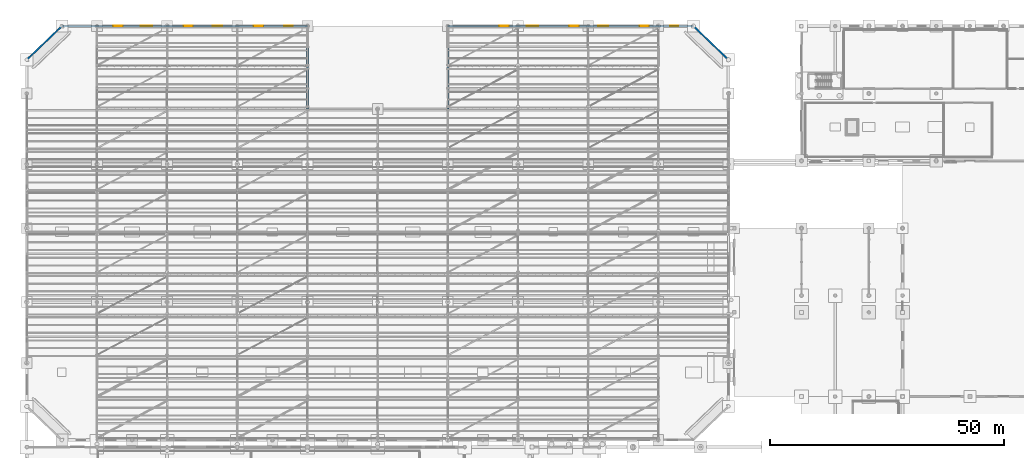
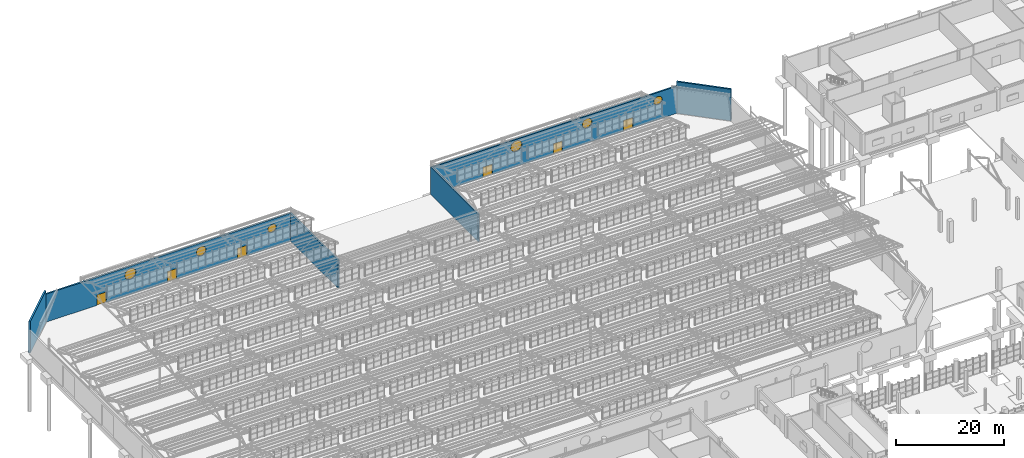
# One storey, part 261 of 285: 6 doors, 6 walls, 6 windows, 12 openings.
"""IFC4 building model written with IfcOpenShell, lengths in metres."""

from ifc_helpers import new_model, si_unit, direction, frame, frame_2d, origin, place, context, subcontext, project, spatial, polyline, rectangle, outline, extrude, material, layer, layer_set, type_object, element, fill, save


model = new_model("IFC4")

# Units and contexts
model_context = context("Model", 3, precision=1e-05, world=origin(), true_north=direction((0.0, 1.0)))
body_context = subcontext(model_context, "Body", "Model", "MODEL_VIEW")
ifc_project = project(units=[si_unit("LENGTHUNIT", "METRE"), si_unit("AREAUNIT", "SQUARE_METRE"), si_unit("VOLUMEUNIT", "CUBIC_METRE"), si_unit("PLANEANGLEUNIT", "RADIAN"), si_unit("MASSUNIT", "GRAM", prefix="KILO")], contexts=[model_context])

# Site, building, storey
site_placement = place(None, origin())
site = spatial("IfcSite", under=ifc_project, at=site_placement, CompositionType="ELEMENT")
building_placement = place(site_placement, origin())
building = spatial("IfcBuilding", under=site, at=building_placement, Name="Solanera Park Tramway Depot", CompositionType="ELEMENT")
storey_placement = place(building_placement, origin())
storey = spatial("IfcBuildingStorey", under=building, at=storey_placement, Name="L00", CompositionType="ELEMENT", Elevation=0.0)

# Walls
ifc_material_1 = material(Name="Concrete N32 (C32/40)", Category="concrete")
ifc_layer_1 = layer(ifc_material_1, 0.320068359375)
ifc_layer_set_1 = layer_set([ifc_layer_1], Name="Concrete N32 (C32/40)")
wall_type_1 = type_object("IfcWallType", Name="Ext Stucco Wall 320", PredefinedType="SOLIDWALL", material=ifc_layer_set_1)
wall_1_placement = place(storey_placement, frame((60.0, 126.300048828125, 0.0), z_axis=(0.0, 0.0, 1.0), x_axis=(0.0, 1.0, 0.0)))
element("IfcWall", 1, at=wall_1_placement, inside=storey, type_object=wall_type_1, Name="L00 V1 Perimeter Wall V1-NRW", PredefinedType="SOLIDWALL", context=body_context, shape_type="SweptSolid", body=[
    extrude(rectangle(XDim=17.699951171875, YDim=0.320068359375, at=frame_2d((8.85009765625, 0.0))), origin(), (0.0, 0.0, 1.0), 6.32861328125),
])
wall_2_placement = place(storey_placement, frame((90.0, 144.0, 0.0), z_axis=(0.0, 0.0, 1.0), x_axis=(0.0, -1.0, 0.0)))
element("IfcWall", 2, at=wall_2_placement, inside=storey, type_object=wall_type_1, Name="L00 V1 Perimeter Wall V1-NRE", PredefinedType="SOLIDWALL", context=body_context, shape_type="SweptSolid", body=[
    extrude(rectangle(XDim=17.699951171875, YDim=0.320068359375, at=frame_2d((8.85009765625, 0.0))), origin(), (0.0, 0.0, 1.0), 6.219482421875),
])

# Wall, openings, windows, doors
ifc_material_2 = material(Name="Concrete N32 (C32/40)", Category="concrete")
ifc_layer_2 = layer(ifc_material_2, 0.35009765625)
ifc_layer_set_2 = layer_set([ifc_layer_2], Name="Concrete N32 (C32/40)")
wall_type_2 = type_object("IfcWallType", Name="Ext Stucco Wall 350", PredefinedType="SOLIDWALL", material=ifc_layer_set_2)
wall_3_placement = place(storey_placement, frame((60.0, 144.0, 0.0), z_axis=(0.0, 0.0, 1.0), x_axis=(-1.0, 0.0, 0.0)))
wall_3 = element("IfcWall", 3, at=wall_3_placement, inside=storey, type_object=wall_type_2, Name="L00 V1 Perimeter Wall V1-NW", PredefinedType="SOLIDWALL", context=body_context, shape_type="SweptSolid", body=[
    extrude(rectangle(XDim=52.5, YDim=0.35009765625, at=frame_2d((26.25, 0.0))), origin(), (0.0, 0.0, 1.0), 6.32861328125),
])
opening_1_placement = place(wall_3_placement, frame((3.199951171875, 0.0, 3.39990234375)))
opening_1 = element("IfcOpeningElement", 4, at=opening_1_placement, cuts=wall_3, Name="Opening WN-P18", PredefinedType="OPENING", context=body_context, shape_type="SweptSolid", body=[
    extrude(outline(polyline([(1.800048828125, 0.89990234375), (1.769287109375, 1.133056640625), (1.679443359375, 1.35009765625), (1.536376953125, 1.536376953125), (1.35009765625, 1.679443359375), (1.133056640625, 1.769287109375), (0.89990234375, 1.800048828125), (0.6669921875, 1.769287109375), (0.449951171875, 1.679443359375), (0.263671875, 1.536376953125), (0.12060546875, 1.35009765625), (0.03076171875, 1.133056640625), (0.0, 0.900146484375), (0.03076171875, 0.6669921875), (0.12060546875, 0.449951171875), (0.263671875, 0.263671875), (0.449951171875, 0.12060546875), (0.6669921875, 0.03076171875), (0.89990234375, 0.0), (1.133056640625, 0.03076171875), (1.35009765625, 0.12060546875), (1.536376953125, 0.263671875), (1.679443359375, 0.449951171875), (1.769287109375, 0.6669921875), (1.800048828125, 0.89990234375)])), frame((0.0, 0.18505859375, 0.0), z_axis=(0.0, -1.0, 0.0), x_axis=(1.0, 0.0, 0.0)), (0.0, 0.0, 1.0), 0.3701171875),
])
opening_2_placement = place(wall_3_placement, frame((18.199951171875, 0.0, 3.39990234375)))
opening_2 = element("IfcOpeningElement", 5, at=opening_2_placement, cuts=wall_3, Name="Opening WN-P21", PredefinedType="OPENING", context=body_context, shape_type="SweptSolid", body=[
    extrude(outline(polyline([(2.10009765625, 1.050048828125), (2.064208984375, 1.32177734375), (1.95947265625, 1.5751953125), (1.79248046875, 1.79248046875), (1.5751953125, 1.95947265625), (1.32177734375, 2.064208984375), (1.050048828125, 2.10009765625), (0.7783203125, 2.064208984375), (0.525146484375, 1.95947265625), (0.3076171875, 1.79248046875), (0.140625, 1.5751953125), (0.035888671875, 1.32177734375), (0.0, 1.050048828125), (0.035888671875, 0.7783203125), (0.140625, 0.525146484375), (0.3076171875, 0.3076171875), (0.52490234375, 0.140625), (0.7783203125, 0.035888671875), (1.050048828125, 0.0), (1.32177734375, 0.035888671875), (1.5751953125, 0.140625), (1.79248046875, 0.3076171875), (1.95947265625, 0.52490234375), (2.064208984375, 0.7783203125), (2.10009765625, 1.050048828125)])), frame((0.0, 0.18505859375, 0.0), z_axis=(0.0, -1.0, 0.0), x_axis=(1.0, 0.0, 0.0)), (0.0, 0.0, 1.0), 0.3701171875),
])
opening_3_placement = place(wall_3_placement, frame((33.199951171875, 0.0, 3.39990234375)))
opening_3 = element("IfcOpeningElement", 6, at=opening_3_placement, cuts=wall_3, Name="Opening WN-P24", PredefinedType="OPENING", context=body_context, shape_type="SweptSolid", body=[
    extrude(outline(polyline([(2.39990234375, 1.199951171875), (2.359130859375, 1.510498046875), (2.2392578125, 1.7998046875), (2.04833984375, 2.04833984375), (1.7998046875, 2.2392578125), (1.510498046875, 2.359130859375), (1.199951171875, 2.39990234375), (0.889404296875, 2.359130859375), (0.60009765625, 2.2392578125), (0.3515625, 2.04833984375), (0.16064453125, 1.7998046875), (0.040771484375, 1.510498046875), (0.0, 1.199951171875), (0.040771484375, 0.889404296875), (0.16064453125, 0.60009765625), (0.3515625, 0.3515625), (0.599853515625, 0.16064453125), (0.889404296875, 0.040771484375), (1.199951171875, 0.0), (1.510498046875, 0.040771484375), (1.7998046875, 0.16064453125), (2.04833984375, 0.3515625), (2.2392578125, 0.599853515625), (2.359130859375, 0.889404296875), (2.39990234375, 1.199951171875)])), frame((0.0, 0.18505859375, 0.0), z_axis=(0.0, -1.0, 0.0), x_axis=(1.0, 0.0, 0.0)), (0.0, 0.0, 1.0), 0.3701171875),
])
opening_4_placement = place(wall_3_placement, frame((9.5, 0.0, 0.0)))
opening_4 = element("IfcOpeningElement", 7, at=opening_4_placement, cuts=wall_3, Name="Opening ED-01", PredefinedType="OPENING", context=body_context, shape_type="SweptSolid", body=[
    extrude(rectangle(XDim=2.0, YDim=2.35009765625, at=frame_2d((1.0, 1.175048828125))), frame((0.0, 0.18505859375, 0.0), z_axis=(0.0, -1.0, 0.0), x_axis=(1.0, 0.0, 0.0)), (0.0, 0.0, 1.0), 0.3701171875),
])
opening_5_placement = place(wall_3_placement, frame((24.5, 0.0, 0.0)))
opening_5 = element("IfcOpeningElement", 8, at=opening_5_placement, cuts=wall_3, Name="Opening ED-01", PredefinedType="OPENING", context=body_context, shape_type="SweptSolid", body=[
    extrude(rectangle(XDim=2.0, YDim=2.35009765625, at=frame_2d((1.0, 1.175048828125))), frame((0.0, 0.18505859375, 0.0), z_axis=(0.0, -1.0, 0.0), x_axis=(1.0, 0.0, 0.0)), (0.0, 0.0, 1.0), 0.3701171875),
])
opening_6_placement = place(wall_3_placement, frame((39.5, 0.0, 0.0)))
opening_6 = element("IfcOpeningElement", 9, at=opening_6_placement, cuts=wall_3, Name="Opening ED-01", PredefinedType="OPENING", context=body_context, shape_type="SweptSolid", body=[
    extrude(rectangle(XDim=2.0, YDim=2.35009765625, at=frame_2d((1.0, 1.175048828125))), frame((0.0, 0.18505859375, 0.0), z_axis=(0.0, -1.0, 0.0), x_axis=(1.0, 0.0, 0.0)), (0.0, 0.0, 1.0), 0.3701171875),
])
ifc_material_3 = material(Name="Powder-coated aluminium frame with solar-control double glazing", Category="aluminium")
window_type_1 = type_object("IfcWindowType", Name="Board-Marked Porthole Window 1800", PartitioningType="SINGLE_PANEL", PredefinedType="WINDOW", material=ifc_material_3)
window_1_placement = place(opening_1_placement, origin())
window_1 = element("IfcWindow", 10, at=window_1_placement, inside=storey, type_object=window_type_1, Name="Board-Marked Porthole Window #0010", OverallHeight=1.800048828125, OverallWidth=1.800048828125, PartitioningType="SINGLE_PANEL", PredefinedType="WINDOW", context=body_context, shape_type="SweptSolid", body=[
    extrude(outline(polyline([(1.800048828125, 0.89990234375), (1.769287109375, 1.133056640625), (1.679443359375, 1.35009765625), (1.536376953125, 1.536376953125), (1.35009765625, 1.679443359375), (1.133056640625, 1.769287109375), (0.89990234375, 1.800048828125), (0.6669921875, 1.769287109375), (0.449951171875, 1.679443359375), (0.263671875, 1.536376953125), (0.12060546875, 1.35009765625), (0.03076171875, 1.133056640625), (0.0, 0.900146484375), (0.03076171875, 0.6669921875), (0.12060546875, 0.449951171875), (0.263671875, 0.263671875), (0.449951171875, 0.12060546875), (0.6669921875, 0.03076171875), (0.89990234375, 0.0), (1.133056640625, 0.03076171875), (1.35009765625, 0.12060546875), (1.536376953125, 0.263671875), (1.679443359375, 0.449951171875), (1.769287109375, 0.6669921875), (1.800048828125, 0.89990234375)])), frame((0.0, 0.030029296875, 0.0), z_axis=(0.0, -1.0, 0.0), x_axis=(1.0, 0.0, 0.0)), (0.0, 0.0, 1.0), 0.06005859375),
])
fill(opening_1, window_1)
ifc_material_4 = material(Name="Powder-coated aluminium frame with solar-control double glazing", Category="aluminium")
window_type_2 = type_object("IfcWindowType", Name="Board-Marked Porthole Window 2100", PartitioningType="SINGLE_PANEL", PredefinedType="WINDOW", material=ifc_material_4)
window_2_placement = place(opening_2_placement, origin())
window_2 = element("IfcWindow", 11, at=window_2_placement, inside=storey, type_object=window_type_2, Name="Board-Marked Porthole Window #0011", OverallHeight=2.10009765625, OverallWidth=2.10009765625, PartitioningType="SINGLE_PANEL", PredefinedType="WINDOW", context=body_context, shape_type="SweptSolid", body=[
    extrude(outline(polyline([(2.10009765625, 1.050048828125), (2.064208984375, 1.32177734375), (1.95947265625, 1.5751953125), (1.79248046875, 1.79248046875), (1.5751953125, 1.95947265625), (1.32177734375, 2.064208984375), (1.050048828125, 2.10009765625), (0.7783203125, 2.064208984375), (0.525146484375, 1.95947265625), (0.3076171875, 1.79248046875), (0.140625, 1.5751953125), (0.035888671875, 1.32177734375), (0.0, 1.050048828125), (0.035888671875, 0.7783203125), (0.140625, 0.525146484375), (0.3076171875, 0.3076171875), (0.52490234375, 0.140625), (0.7783203125, 0.035888671875), (1.050048828125, 0.0), (1.32177734375, 0.035888671875), (1.5751953125, 0.140625), (1.79248046875, 0.3076171875), (1.95947265625, 0.52490234375), (2.064208984375, 0.7783203125), (2.10009765625, 1.050048828125)])), frame((0.0, 0.030029296875, 0.0), z_axis=(0.0, -1.0, 0.0), x_axis=(1.0, 0.0, 0.0)), (0.0, 0.0, 1.0), 0.06005859375),
])
fill(opening_2, window_2)
ifc_material_5 = material(Name="Powder-coated aluminium frame with solar-control double glazing", Category="aluminium")
window_type_3 = type_object("IfcWindowType", Name="Board-Marked Porthole Window 2400", PartitioningType="SINGLE_PANEL", PredefinedType="WINDOW", material=ifc_material_5)
window_3_placement = place(opening_3_placement, origin())
window_3 = element("IfcWindow", 12, at=window_3_placement, inside=storey, type_object=window_type_3, Name="Board-Marked Porthole Window #0012", OverallHeight=2.39990234375, OverallWidth=2.39990234375, PartitioningType="SINGLE_PANEL", PredefinedType="WINDOW", context=body_context, shape_type="SweptSolid", body=[
    extrude(outline(polyline([(2.39990234375, 1.199951171875), (2.359130859375, 1.510498046875), (2.2392578125, 1.7998046875), (2.04833984375, 2.04833984375), (1.7998046875, 2.2392578125), (1.510498046875, 2.359130859375), (1.199951171875, 2.39990234375), (0.889404296875, 2.359130859375), (0.60009765625, 2.2392578125), (0.3515625, 2.04833984375), (0.16064453125, 1.7998046875), (0.040771484375, 1.510498046875), (0.0, 1.199951171875), (0.040771484375, 0.889404296875), (0.16064453125, 0.60009765625), (0.3515625, 0.3515625), (0.599853515625, 0.16064453125), (0.889404296875, 0.040771484375), (1.199951171875, 0.0), (1.510498046875, 0.040771484375), (1.7998046875, 0.16064453125), (2.04833984375, 0.3515625), (2.2392578125, 0.599853515625), (2.359130859375, 0.889404296875), (2.39990234375, 1.199951171875)])), frame((0.0, 0.030029296875, 0.0), z_axis=(0.0, -1.0, 0.0), x_axis=(1.0, 0.0, 0.0)), (0.0, 0.0, 1.0), 0.06005859375),
])
fill(opening_3, window_3)
ifc_material_6 = material(Name="Powder-coated aluminium and steel portal leaf", Category="steel")
door_type = type_object("IfcDoorType", Name="Civic Entrance Double Door 2000x2350", OperationType="DOUBLE_SWING_LEFT", PredefinedType="DOOR", material=ifc_material_6)
door_1_placement = place(opening_4_placement, frame((2.0, 0.0, 0.0), z_axis=(0.0, 0.0, 1.0), x_axis=(-1.0, 0.0, 0.0)))
door_1 = element("IfcDoor", 13, at=door_1_placement, inside=storey, type_object=door_type, Name="Depot Shed Final Exit Double Door #0007", OperationType="DOUBLE_SWING_LEFT", OverallHeight=2.35009765625, OverallWidth=2.0, PredefinedType="DOOR", context=body_context, shape_type="SweptSolid", body=[
    extrude(rectangle(XDim=2.0, YDim=2.35009765625, at=frame_2d((1.0, 1.175048828125))), frame((0.0, 0.02490234375, 0.0), z_axis=(0.0, -1.0, 0.0), x_axis=(1.0, 0.0, 0.0)), (0.0, 0.0, 1.0), 0.050048828125),
])
fill(opening_4, door_1)
door_2_placement = place(opening_5_placement, frame((2.0, 0.0, 0.0), z_axis=(0.0, 0.0, 1.0), x_axis=(-1.0, 0.0, 0.0)))
door_2 = element("IfcDoor", 14, at=door_2_placement, inside=storey, type_object=door_type, Name="Depot Shed Final Exit Double Door #0008", OperationType="DOUBLE_SWING_LEFT", OverallHeight=2.35009765625, OverallWidth=2.0, PredefinedType="DOOR", context=body_context, shape_type="SweptSolid", body=[
    extrude(rectangle(XDim=2.0, YDim=2.35009765625, at=frame_2d((1.0, 1.175048828125))), frame((0.0, 0.02490234375, 0.0), z_axis=(0.0, -1.0, 0.0), x_axis=(1.0, 0.0, 0.0)), (0.0, 0.0, 1.0), 0.050048828125),
])
fill(opening_5, door_2)
door_3_placement = place(opening_6_placement, frame((2.0, 0.0, 0.0), z_axis=(0.0, 0.0, 1.0), x_axis=(-1.0, 0.0, 0.0)))
door_3 = element("IfcDoor", 15, at=door_3_placement, inside=storey, type_object=door_type, Name="Depot Shed Final Exit Double Door #0009", OperationType="DOUBLE_SWING_LEFT", OverallHeight=2.35009765625, OverallWidth=2.0, PredefinedType="DOOR", context=body_context, shape_type="SweptSolid", body=[
    extrude(rectangle(XDim=2.0, YDim=2.35009765625, at=frame_2d((1.0, 1.175048828125))), frame((0.0, 0.02490234375, 0.0), z_axis=(0.0, -1.0, 0.0), x_axis=(1.0, 0.0, 0.0)), (0.0, 0.0, 1.0), 0.050048828125),
])
fill(opening_6, door_3)

wall_4_placement = place(storey_placement, frame((142.5, 144.0, 0.0), z_axis=(0.0, 0.0, 1.0), x_axis=(-1.0, 0.0, 0.0)))
wall_4 = element("IfcWall", 16, at=wall_4_placement, inside=storey, type_object=wall_type_2, Name="L00 V1 Perimeter Wall V1-NE", PredefinedType="SOLIDWALL", context=body_context, shape_type="SweptSolid", body=[
    extrude(rectangle(XDim=52.5, YDim=0.35009765625, at=frame_2d((26.25, 0.0))), origin(), (0.0, 0.0, 1.0), 6.135986328125),
])
opening_7_placement = place(wall_4_placement, frame((3.199951171875, 0.0, 3.39990234375)))
opening_7 = element("IfcOpeningElement", 17, at=opening_7_placement, cuts=wall_4, Name="Opening WN-P18", PredefinedType="OPENING", context=body_context, shape_type="SweptSolid", body=[
    extrude(outline(polyline([(1.800048828125, 0.89990234375), (1.769287109375, 1.133056640625), (1.679443359375, 1.35009765625), (1.536376953125, 1.536376953125), (1.35009765625, 1.679443359375), (1.133056640625, 1.769287109375), (0.89990234375, 1.800048828125), (0.6669921875, 1.769287109375), (0.449951171875, 1.679443359375), (0.263671875, 1.536376953125), (0.12060546875, 1.35009765625), (0.03076171875, 1.133056640625), (0.0, 0.900146484375), (0.03076171875, 0.6669921875), (0.12060546875, 0.449951171875), (0.263671875, 0.263671875), (0.449951171875, 0.12060546875), (0.6669921875, 0.03076171875), (0.89990234375, 0.0), (1.133056640625, 0.03076171875), (1.35009765625, 0.12060546875), (1.536376953125, 0.263671875), (1.679443359375, 0.449951171875), (1.769287109375, 0.6669921875), (1.800048828125, 0.89990234375)])), frame((0.0, 0.18505859375, 0.0), z_axis=(0.0, -1.0, 0.0), x_axis=(1.0, 0.0, 0.0)), (0.0, 0.0, 1.0), 0.3701171875),
])
opening_8_placement = place(wall_4_placement, frame((18.199951171875, 0.0, 3.39990234375)))
opening_8 = element("IfcOpeningElement", 18, at=opening_8_placement, cuts=wall_4, Name="Opening WN-P21", PredefinedType="OPENING", context=body_context, shape_type="SweptSolid", body=[
    extrude(outline(polyline([(2.10009765625, 1.050048828125), (2.064208984375, 1.32177734375), (1.95947265625, 1.5751953125), (1.79248046875, 1.79248046875), (1.5751953125, 1.95947265625), (1.32177734375, 2.064208984375), (1.050048828125, 2.10009765625), (0.7783203125, 2.064208984375), (0.525146484375, 1.95947265625), (0.3076171875, 1.79248046875), (0.140625, 1.5751953125), (0.035888671875, 1.32177734375), (0.0, 1.050048828125), (0.035888671875, 0.7783203125), (0.140625, 0.525146484375), (0.3076171875, 0.3076171875), (0.52490234375, 0.140625), (0.7783203125, 0.035888671875), (1.050048828125, 0.0), (1.32177734375, 0.035888671875), (1.5751953125, 0.140625), (1.79248046875, 0.3076171875), (1.95947265625, 0.52490234375), (2.064208984375, 0.7783203125), (2.10009765625, 1.050048828125)])), frame((0.0, 0.18505859375, 0.0), z_axis=(0.0, -1.0, 0.0), x_axis=(1.0, 0.0, 0.0)), (0.0, 0.0, 1.0), 0.3701171875),
])
opening_9_placement = place(wall_4_placement, frame((33.199951171875, 0.0, 3.39990234375)))
opening_9 = element("IfcOpeningElement", 19, at=opening_9_placement, cuts=wall_4, Name="Opening WN-P24", PredefinedType="OPENING", context=body_context, shape_type="SweptSolid", body=[
    extrude(outline(polyline([(2.39990234375, 1.199951171875), (2.359130859375, 1.510498046875), (2.2392578125, 1.7998046875), (2.04833984375, 2.04833984375), (1.7998046875, 2.2392578125), (1.510498046875, 2.359130859375), (1.199951171875, 2.39990234375), (0.889404296875, 2.359130859375), (0.60009765625, 2.2392578125), (0.3515625, 2.04833984375), (0.16064453125, 1.7998046875), (0.040771484375, 1.510498046875), (0.0, 1.199951171875), (0.040771484375, 0.889404296875), (0.16064453125, 0.60009765625), (0.3515625, 0.3515625), (0.599853515625, 0.16064453125), (0.889404296875, 0.040771484375), (1.199951171875, 0.0), (1.510498046875, 0.040771484375), (1.7998046875, 0.16064453125), (2.04833984375, 0.3515625), (2.2392578125, 0.599853515625), (2.359130859375, 0.889404296875), (2.39990234375, 1.199951171875)])), frame((0.0, 0.18505859375, 0.0), z_axis=(0.0, -1.0, 0.0), x_axis=(1.0, 0.0, 0.0)), (0.0, 0.0, 1.0), 0.3701171875),
])
opening_10_placement = place(wall_4_placement, frame((9.5, 0.0, 0.0)))
opening_10 = element("IfcOpeningElement", 20, at=opening_10_placement, cuts=wall_4, Name="Opening ED-01", PredefinedType="OPENING", context=body_context, shape_type="SweptSolid", body=[
    extrude(rectangle(XDim=2.0, YDim=2.35009765625, at=frame_2d((1.0, 1.175048828125))), frame((0.0, 0.18505859375, 0.0), z_axis=(0.0, -1.0, 0.0), x_axis=(1.0, 0.0, 0.0)), (0.0, 0.0, 1.0), 0.3701171875),
])
opening_11_placement = place(wall_4_placement, frame((24.5, 0.0, 0.0)))
opening_11 = element("IfcOpeningElement", 21, at=opening_11_placement, cuts=wall_4, Name="Opening ED-01", PredefinedType="OPENING", context=body_context, shape_type="SweptSolid", body=[
    extrude(rectangle(XDim=2.0, YDim=2.35009765625, at=frame_2d((1.0, 1.175048828125))), frame((0.0, 0.18505859375, 0.0), z_axis=(0.0, -1.0, 0.0), x_axis=(1.0, 0.0, 0.0)), (0.0, 0.0, 1.0), 0.3701171875),
])
opening_12_placement = place(wall_4_placement, frame((39.5, 0.0, 0.0)))
opening_12 = element("IfcOpeningElement", 22, at=opening_12_placement, cuts=wall_4, Name="Opening ED-01", PredefinedType="OPENING", context=body_context, shape_type="SweptSolid", body=[
    extrude(rectangle(XDim=2.0, YDim=2.35009765625, at=frame_2d((1.0, 1.175048828125))), frame((0.0, 0.18505859375, 0.0), z_axis=(0.0, -1.0, 0.0), x_axis=(1.0, 0.0, 0.0)), (0.0, 0.0, 1.0), 0.3701171875),
])
window_4_placement = place(opening_7_placement, origin())
window_4 = element("IfcWindow", 23, at=window_4_placement, inside=storey, type_object=window_type_1, Name="Board-Marked Porthole Window #0013", OverallHeight=1.800048828125, OverallWidth=1.800048828125, PartitioningType="SINGLE_PANEL", PredefinedType="WINDOW", context=body_context, shape_type="SweptSolid", body=[
    extrude(outline(polyline([(1.800048828125, 0.89990234375), (1.769287109375, 1.133056640625), (1.679443359375, 1.35009765625), (1.536376953125, 1.536376953125), (1.35009765625, 1.679443359375), (1.133056640625, 1.769287109375), (0.89990234375, 1.800048828125), (0.6669921875, 1.769287109375), (0.449951171875, 1.679443359375), (0.263671875, 1.536376953125), (0.12060546875, 1.35009765625), (0.03076171875, 1.133056640625), (0.0, 0.900146484375), (0.03076171875, 0.6669921875), (0.12060546875, 0.449951171875), (0.263671875, 0.263671875), (0.449951171875, 0.12060546875), (0.6669921875, 0.03076171875), (0.89990234375, 0.0), (1.133056640625, 0.03076171875), (1.35009765625, 0.12060546875), (1.536376953125, 0.263671875), (1.679443359375, 0.449951171875), (1.769287109375, 0.6669921875), (1.800048828125, 0.89990234375)])), frame((0.0, 0.030029296875, 0.0), z_axis=(0.0, -1.0, 0.0), x_axis=(1.0, 0.0, 0.0)), (0.0, 0.0, 1.0), 0.06005859375),
])
fill(opening_7, window_4)
window_5_placement = place(opening_8_placement, origin())
window_5 = element("IfcWindow", 24, at=window_5_placement, inside=storey, type_object=window_type_2, Name="Board-Marked Porthole Window #0014", OverallHeight=2.10009765625, OverallWidth=2.10009765625, PartitioningType="SINGLE_PANEL", PredefinedType="WINDOW", context=body_context, shape_type="SweptSolid", body=[
    extrude(outline(polyline([(2.10009765625, 1.050048828125), (2.064208984375, 1.32177734375), (1.95947265625, 1.5751953125), (1.79248046875, 1.79248046875), (1.5751953125, 1.95947265625), (1.32177734375, 2.064208984375), (1.050048828125, 2.10009765625), (0.7783203125, 2.064208984375), (0.525146484375, 1.95947265625), (0.3076171875, 1.79248046875), (0.140625, 1.5751953125), (0.035888671875, 1.32177734375), (0.0, 1.050048828125), (0.035888671875, 0.7783203125), (0.140625, 0.525146484375), (0.3076171875, 0.3076171875), (0.52490234375, 0.140625), (0.7783203125, 0.035888671875), (1.050048828125, 0.0), (1.32177734375, 0.035888671875), (1.5751953125, 0.140625), (1.79248046875, 0.3076171875), (1.95947265625, 0.52490234375), (2.064208984375, 0.7783203125), (2.10009765625, 1.050048828125)])), frame((0.0, 0.030029296875, 0.0), z_axis=(0.0, -1.0, 0.0), x_axis=(1.0, 0.0, 0.0)), (0.0, 0.0, 1.0), 0.06005859375),
])
fill(opening_8, window_5)
window_6_placement = place(opening_9_placement, origin())
window_6 = element("IfcWindow", 25, at=window_6_placement, inside=storey, type_object=window_type_3, Name="Board-Marked Porthole Window #0015", OverallHeight=2.39990234375, OverallWidth=2.39990234375, PartitioningType="SINGLE_PANEL", PredefinedType="WINDOW", context=body_context, shape_type="SweptSolid", body=[
    extrude(outline(polyline([(2.39990234375, 1.199951171875), (2.359130859375, 1.510498046875), (2.2392578125, 1.7998046875), (2.04833984375, 2.04833984375), (1.7998046875, 2.2392578125), (1.510498046875, 2.359130859375), (1.199951171875, 2.39990234375), (0.889404296875, 2.359130859375), (0.60009765625, 2.2392578125), (0.3515625, 2.04833984375), (0.16064453125, 1.7998046875), (0.040771484375, 1.510498046875), (0.0, 1.199951171875), (0.040771484375, 0.889404296875), (0.16064453125, 0.60009765625), (0.3515625, 0.3515625), (0.599853515625, 0.16064453125), (0.889404296875, 0.040771484375), (1.199951171875, 0.0), (1.510498046875, 0.040771484375), (1.7998046875, 0.16064453125), (2.04833984375, 0.3515625), (2.2392578125, 0.599853515625), (2.359130859375, 0.889404296875), (2.39990234375, 1.199951171875)])), frame((0.0, 0.030029296875, 0.0), z_axis=(0.0, -1.0, 0.0), x_axis=(1.0, 0.0, 0.0)), (0.0, 0.0, 1.0), 0.06005859375),
])
fill(opening_9, window_6)
door_4_placement = place(opening_10_placement, frame((2.0, 0.0, 0.0), z_axis=(0.0, 0.0, 1.0), x_axis=(-1.0, 0.0, 0.0)))
door_4 = element("IfcDoor", 26, at=door_4_placement, inside=storey, type_object=door_type, Name="Depot Shed Final Exit Double Door #0010", OperationType="DOUBLE_SWING_LEFT", OverallHeight=2.35009765625, OverallWidth=2.0, PredefinedType="DOOR", context=body_context, shape_type="SweptSolid", body=[
    extrude(rectangle(XDim=2.0, YDim=2.35009765625, at=frame_2d((1.0, 1.175048828125))), frame((0.0, 0.02490234375, 0.0), z_axis=(0.0, -1.0, 0.0), x_axis=(1.0, 0.0, 0.0)), (0.0, 0.0, 1.0), 0.050048828125),
])
fill(opening_10, door_4)
door_5_placement = place(opening_11_placement, frame((2.0, 0.0, 0.0), z_axis=(0.0, 0.0, 1.0), x_axis=(-1.0, 0.0, 0.0)))
door_5 = element("IfcDoor", 27, at=door_5_placement, inside=storey, type_object=door_type, Name="Depot Shed Final Exit Double Door #0011", OperationType="DOUBLE_SWING_LEFT", OverallHeight=2.35009765625, OverallWidth=2.0, PredefinedType="DOOR", context=body_context, shape_type="SweptSolid", body=[
    extrude(rectangle(XDim=2.0, YDim=2.35009765625, at=frame_2d((1.0, 1.175048828125))), frame((0.0, 0.02490234375, 0.0), z_axis=(0.0, -1.0, 0.0), x_axis=(1.0, 0.0, 0.0)), (0.0, 0.0, 1.0), 0.050048828125),
])
fill(opening_11, door_5)
door_6_placement = place(opening_12_placement, frame((2.0, 0.0, 0.0), z_axis=(0.0, 0.0, 1.0), x_axis=(-1.0, 0.0, 0.0)))
door_6 = element("IfcDoor", 28, at=door_6_placement, inside=storey, type_object=door_type, Name="Depot Shed Final Exit Double Door #0012", OperationType="DOUBLE_SWING_LEFT", OverallHeight=2.35009765625, OverallWidth=2.0, PredefinedType="DOOR", context=body_context, shape_type="SweptSolid", body=[
    extrude(rectangle(XDim=2.0, YDim=2.35009765625, at=frame_2d((1.0, 1.175048828125))), frame((0.0, 0.02490234375, 0.0), z_axis=(0.0, -1.0, 0.0), x_axis=(1.0, 0.0, 0.0)), (0.0, 0.0, 1.0), 0.050048828125),
])
fill(opening_12, door_6)

# Walls
for number, where, z_axis, x_axis, name in (
    (29, (150.0, 136.800048828125, 0.0), (0.0, 0.0, 1.0), (-0.721389667345, 0.692529384104, 0.0), "L00 V1 Perimeter Wall V1-CNE"),
    (30, (7.5, 144.0, 0.0), (0.0, 0.0, 1.0), (-0.721389667345, -0.692529384104, 0.0), "L00 V1 Perimeter Wall V1-CNW"),
):
    element("IfcWall", number, at=place(storey_placement, frame(where, z_axis=z_axis, x_axis=x_axis)), inside=storey, type_object=wall_type_2, Name=name, PredefinedType="SOLIDWALL", context=body_context, shape_type="SweptSolid", body=[
        extrude(rectangle(XDim=10.396484375, YDim=0.35009765625, at=frame_2d((5.1982421875, 0.0))), origin(), (0.0, 0.0, 1.0), 7.14990234375),
    ])

save(model, "model.ifc")
